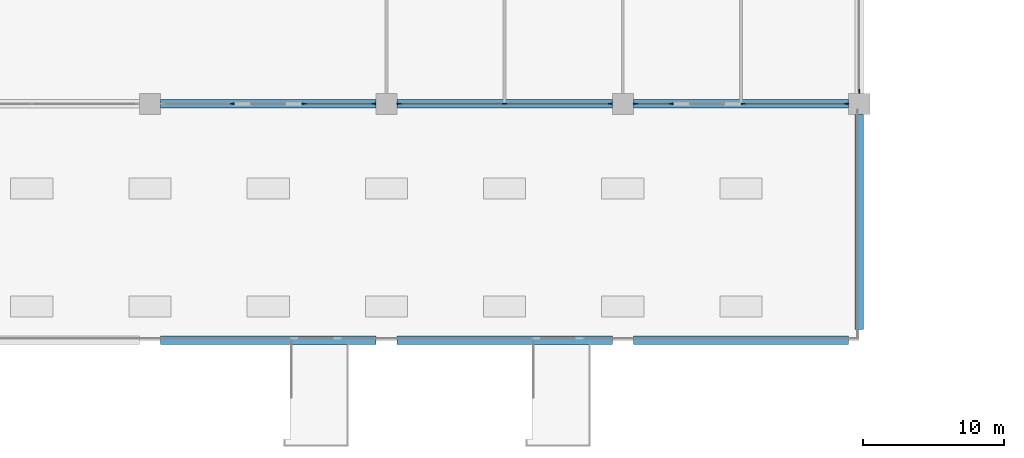
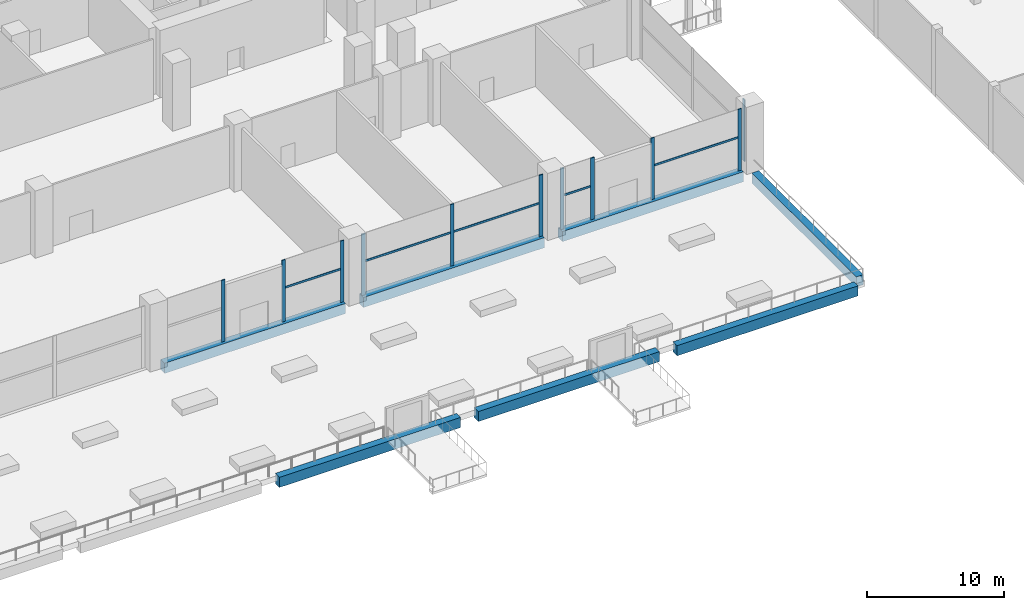
# One storey, part 7 of 47: 16 members, 7 beams, 6 elements without a shape of their own.
"""IFC4 building model written with IfcOpenShell, lengths in metres."""

from ifc_helpers import new_model, si_unit, direction, frame, origin, origin_2d, place, context, subcontext, project, spatial, rectangle, extrude, material, material_profile, profile_set, type_object, element, aggregate, save


model = new_model("IFC4")

# Units and contexts
model_context = context("Model", 3, precision=1e-05, world=origin(), true_north=direction((0.0, 1.0)))
body_context = subcontext(model_context, "Body", "Model", "MODEL_VIEW")
ifc_project = project(units=[si_unit("LENGTHUNIT", "METRE"), si_unit("AREAUNIT", "SQUARE_METRE"), si_unit("VOLUMEUNIT", "CUBIC_METRE"), si_unit("PLANEANGLEUNIT", "RADIAN"), si_unit("MASSUNIT", "GRAM", prefix="KILO")], contexts=[model_context])

# Site, building, storey
site_placement = place(None, origin())
site = spatial("IfcSite", under=ifc_project, at=site_placement, CompositionType="ELEMENT")
building_placement = place(site_placement, origin())
building = spatial("IfcBuilding", under=site, at=building_placement, Name="Candeia Pilgrim Tower and Theatre", CompositionType="ELEMENT")
storey_placement = place(building_placement, frame((0.0, 0.0, 23.0)))
storey = spatial("IfcBuildingStorey", under=building, at=storey_placement, Name="L03", CompositionType="ELEMENT", Elevation=23.0)

# Curtain wall, member
ifc_material_1 = material(Name="Aluminium framed podium glazing", Category="aluminium")
curtain_wall_type = type_object("IfcCurtainWallType", Name="CW-P curtain wall", PredefinedType="NOTDEFINED", material=ifc_material_1)
curtain_wall_1_placement = place(storey_placement, origin())
curtain_wall_1 = element("IfcCurtainWall", 1, at=curtain_wall_1_placement, inside=storey, type_object=curtain_wall_type, Name="Curtain wall CW-P L03.250", PredefinedType="NOTDEFINED")
ifc_material_2 = material(Name="Anodised aluminium", Category="aluminium")
ifc_material_profile_1 = material_profile(ifc_material_2, rectangle(XDim=0.080078125, YDim=0.300048828125, at=origin_2d()))
ifc_profile_set_1 = profile_set([ifc_material_profile_1], Name="Anodised aluminium")
member_type_1 = type_object("IfcMemberType", Name="CW-P mullion 80x300", PredefinedType="MULLION", material=ifc_profile_set_1)
member_1_placement = place(storey_placement, frame((159.60009765625, 82.10009765625, 0.0), z_axis=(0.0, 0.0, 1.0), x_axis=(1.0, 0.0, 0.0)))
member_1 = element("IfcMember", 2, at=member_1_placement, type_object=member_type_1, Name="CW-P mullion 3", PredefinedType="MULLION", context=body_context, shape_type="SweptSolid", body=[
    extrude(rectangle(XDim=0.080078125, YDim=0.300048828125, at=origin_2d()), origin(), (0.0, 0.0, 1.0), 5.5),
])
aggregate(curtain_wall_1, [member_1])

# Curtain wall, members
curtain_wall_2_placement = place(storey_placement, origin())
curtain_wall_2 = element("IfcCurtainWall", 3, at=curtain_wall_2_placement, inside=storey, type_object=curtain_wall_type, Name="Curtain wall CW-P L03.300", PredefinedType="NOTDEFINED")
member_2_placement = place(storey_placement, frame((158.699951171875, 81.199951171875, 0.0), z_axis=(0.0, 0.0, 1.0), x_axis=(0.0, -1.0, 0.0)))
member_2 = element("IfcMember", 4, at=member_2_placement, type_object=member_type_1, Name="CW-P mullion 1", PredefinedType="MULLION", context=body_context, shape_type="SweptSolid", body=[
    extrude(rectangle(XDim=0.080078125, YDim=0.300048828125, at=origin_2d()), origin(), (0.0, 0.0, 1.0), 5.5),
])
member_3_placement = place(storey_placement, frame((151.35009765625, 81.199951171875, 0.0), z_axis=(0.0, 0.0, 1.0), x_axis=(0.0, -1.0, 0.0)))
member_3 = element("IfcMember", 5, at=member_3_placement, type_object=member_type_1, Name="CW-P mullion 2", PredefinedType="MULLION", context=body_context, shape_type="SweptSolid", body=[
    extrude(rectangle(XDim=0.080078125, YDim=0.300048828125, at=origin_2d()), origin(), (0.0, 0.0, 1.0), 5.5),
])

curtain_wall_3_placement = place(storey_placement, origin())
curtain_wall_3 = element("IfcCurtainWall", 6, at=curtain_wall_3_placement, inside=storey, type_object=curtain_wall_type, Name="Curtain wall CW-P L03.301", PredefinedType="NOTDEFINED")
member_4_placement = place(storey_placement, frame((146.25, 81.199951171875, 0.0), z_axis=(0.0, 0.0, 1.0), x_axis=(0.0, -1.0, 0.0)))
member_4 = element("IfcMember", 7, at=member_4_placement, type_object=member_type_1, Name="CW-P mullion 1", PredefinedType="MULLION", context=body_context, shape_type="SweptSolid", body=[
    extrude(rectangle(XDim=0.080078125, YDim=0.300048828125, at=origin_2d()), origin(), (0.0, 0.0, 1.0), 5.5),
])
member_5_placement = place(storey_placement, frame((143.699951171875, 81.199951171875, 0.0), z_axis=(0.0, 0.0, 1.0), x_axis=(0.0, -1.0, 0.0)))
member_5 = element("IfcMember", 8, at=member_5_placement, type_object=member_type_1, Name="CW-P mullion 2", PredefinedType="MULLION", context=body_context, shape_type="SweptSolid", body=[
    extrude(rectangle(XDim=0.080078125, YDim=0.300048828125, at=origin_2d()), origin(), (0.0, 0.0, 1.0), 5.5),
])

curtain_wall_4_placement = place(storey_placement, origin())
curtain_wall_4 = element("IfcCurtainWall", 9, at=curtain_wall_4_placement, inside=storey, type_object=curtain_wall_type, Name="Curtain wall CW-P L03.310", PredefinedType="NOTDEFINED")
member_6_placement = place(storey_placement, frame((141.89990234375, 81.199951171875, 0.0), z_axis=(0.0, 0.0, 1.0), x_axis=(0.0, -1.0, 0.0)))
member_6 = element("IfcMember", 10, at=member_6_placement, type_object=member_type_1, Name="CW-P mullion 1", PredefinedType="MULLION", context=body_context, shape_type="SweptSolid", body=[
    extrude(rectangle(XDim=0.080078125, YDim=0.300048828125, at=origin_2d()), origin(), (0.0, 0.0, 1.0), 5.5),
])
member_7_placement = place(storey_placement, frame((134.39990234375, 81.199951171875, 0.0), z_axis=(0.0, 0.0, 1.0), x_axis=(0.0, -1.0, 0.0)))
member_7 = element("IfcMember", 11, at=member_7_placement, type_object=member_type_1, Name="CW-P mullion 2", PredefinedType="MULLION", context=body_context, shape_type="SweptSolid", body=[
    extrude(rectangle(XDim=0.080078125, YDim=0.300048828125, at=origin_2d()), origin(), (0.0, 0.0, 1.0), 5.5),
])
member_8_placement = place(storey_placement, frame((126.89990234375, 81.199951171875, 0.0), z_axis=(0.0, 0.0, 1.0), x_axis=(0.0, -1.0, 0.0)))
member_8 = element("IfcMember", 12, at=member_8_placement, type_object=member_type_1, Name="CW-P mullion 3", PredefinedType="MULLION", context=body_context, shape_type="SweptSolid", body=[
    extrude(rectangle(XDim=0.080078125, YDim=0.300048828125, at=origin_2d()), origin(), (0.0, 0.0, 1.0), 5.5),
])

curtain_wall_5_placement = place(storey_placement, origin())
curtain_wall_5 = element("IfcCurtainWall", 13, at=curtain_wall_5_placement, inside=storey, type_object=curtain_wall_type, Name="Curtain wall CW-P L03.320", PredefinedType="NOTDEFINED")
member_9_placement = place(storey_placement, frame((125.10009765625, 81.199951171875, 0.0), z_axis=(0.0, 0.0, 1.0), x_axis=(0.0, -1.0, 0.0)))
member_9 = element("IfcMember", 14, at=member_9_placement, type_object=member_type_1, Name="CW-P mullion 1", PredefinedType="MULLION", context=body_context, shape_type="SweptSolid", body=[
    extrude(rectangle(XDim=0.080078125, YDim=0.300048828125, at=origin_2d()), origin(), (0.0, 0.0, 1.0), 5.5),
])
member_10_placement = place(storey_placement, frame((120.14990234375, 81.199951171875, 0.0), z_axis=(0.0, 0.0, 1.0), x_axis=(0.0, -1.0, 0.0)))
member_10 = element("IfcMember", 15, at=member_10_placement, type_object=member_type_1, Name="CW-P mullion 2", PredefinedType="MULLION", context=body_context, shape_type="SweptSolid", body=[
    extrude(rectangle(XDim=0.080078125, YDim=0.300048828125, at=origin_2d()), origin(), (0.0, 0.0, 1.0), 5.5),
])

# Curtain wall, member
curtain_wall_6_placement = place(storey_placement, origin())
curtain_wall_6 = element("IfcCurtainWall", 16, at=curtain_wall_6_placement, inside=storey, type_object=curtain_wall_type, Name="Curtain wall CW-P L03.321", PredefinedType="NOTDEFINED")
member_11_placement = place(storey_placement, frame((115.050048828125, 81.199951171875, 0.0), z_axis=(0.0, 0.0, 1.0), x_axis=(0.0, -1.0, 0.0)))
member_11 = element("IfcMember", 17, at=member_11_placement, type_object=member_type_1, Name="CW-P mullion 1", PredefinedType="MULLION", context=body_context, shape_type="SweptSolid", body=[
    extrude(rectangle(XDim=0.080078125, YDim=0.300048828125, at=origin_2d()), origin(), (0.0, 0.0, 1.0), 5.5),
])
aggregate(curtain_wall_6, [member_11])

# Member
ifc_material_profile_2 = material_profile(ifc_material_2, rectangle(XDim=0.080078125, YDim=0.179931640625, at=origin_2d()))
ifc_profile_set_2 = profile_set([ifc_material_profile_2], Name="Anodised aluminium")
member_type_2 = type_object("IfcMemberType", Name="CW-P transom 80x180", PredefinedType="USERDEFINED", material=ifc_profile_set_2)
member_12_placement = place(storey_placement, frame((158.659912109375, 81.199951171875, 3.0), z_axis=(-1.0, 0.0, 0.0), x_axis=(0.0, -1.0, 0.0)))
member_12 = element("IfcMember", 18, at=member_12_placement, type_object=member_type_2, Name="CW-P transom 1.1", ObjectType="TRANSOM", PredefinedType="USERDEFINED", context=body_context, shape_type="SweptSolid", body=[
    extrude(rectangle(XDim=0.080078125, YDim=0.179931640625, at=origin_2d()), origin(), (0.0, 0.0, 1.0), 7.27001953125),
])

aggregate(curtain_wall_2, [member_2, member_3, member_12])

member_13_placement = place(storey_placement, frame((146.2099609375, 81.199951171875, 3.0), z_axis=(-1.0, 0.0, 0.0), x_axis=(0.0, -1.0, 0.0)))
member_13 = element("IfcMember", 19, at=member_13_placement, type_object=member_type_2, Name="CW-P transom 1.1", ObjectType="TRANSOM", PredefinedType="USERDEFINED", context=body_context, shape_type="SweptSolid", body=[
    extrude(rectangle(XDim=0.080078125, YDim=0.179931640625, at=origin_2d()), origin(), (0.0, 0.0, 1.0), 2.469970703125),
])

aggregate(curtain_wall_3, [member_4, member_5, member_13])

member_14_placement = place(storey_placement, frame((141.860107421875, 81.199951171875, 3.0), z_axis=(-1.0, 0.0, 0.0), x_axis=(0.0, -1.0, 0.0)))
member_14 = element("IfcMember", 20, at=member_14_placement, type_object=member_type_2, Name="CW-P transom 1.1", ObjectType="TRANSOM", PredefinedType="USERDEFINED", context=body_context, shape_type="SweptSolid", body=[
    extrude(rectangle(XDim=0.080078125, YDim=0.179931640625, at=origin_2d()), origin(), (0.0, 0.0, 1.0), 7.420166015625),
])

member_15_placement = place(storey_placement, frame((134.360107421875, 81.199951171875, 3.0), z_axis=(-1.0, 0.0, 0.0), x_axis=(0.0, -1.0, 0.0)))
member_15 = element("IfcMember", 21, at=member_15_placement, type_object=member_type_2, Name="CW-P transom 2.1", ObjectType="TRANSOM", PredefinedType="USERDEFINED", context=body_context, shape_type="SweptSolid", body=[
    extrude(rectangle(XDim=0.080078125, YDim=0.179931640625, at=origin_2d()), origin(), (0.0, 0.0, 1.0), 7.420166015625),
])

aggregate(curtain_wall_4, [member_6, member_7, member_8, member_14, member_15])

member_16_placement = place(storey_placement, frame((125.06005859375, 81.199951171875, 3.0), z_axis=(-1.0, 0.0, 0.0), x_axis=(0.0, -1.0, 0.0)))
member_16 = element("IfcMember", 22, at=member_16_placement, type_object=member_type_2, Name="CW-P transom 1.1", ObjectType="TRANSOM", PredefinedType="USERDEFINED", context=body_context, shape_type="SweptSolid", body=[
    extrude(rectangle(XDim=0.080078125, YDim=0.179931640625, at=origin_2d()), origin(), (0.0, 0.0, 1.0), 4.8701171875),
])

aggregate(curtain_wall_5, [member_9, member_10, member_16])

# Beams
ifc_material_3 = material(Name="Concrete C80/95", Category="concrete")
ifc_material_profile_3 = material_profile(ifc_material_3, rectangle(XDim=0.60009765625, YDim=0.89990234375, at=origin_2d()))
ifc_profile_set_3 = profile_set([ifc_material_profile_3], Name="Concrete C80/95")
beam_type = type_object("IfcBeamType", Name="RC 600x900 C80/95", PredefinedType="BEAM", material=ifc_profile_set_3)
for number, where, z_axis, x_axis, name in (
    (23, (109.949951171875, 81.199951171875, -0.449951171875), (1.0, 0.0, 0.0), (0.0, 1.0, 0.0), "Spandrel beam L03-24"),
    (24, (126.75, 81.199951171875, -0.449951171875), (1.0, 0.0, 0.0), (0.0, 1.0, 0.0), "Spandrel beam L03-25"),
    (25, (143.550048828125, 81.199951171875, -0.449951171875), (1.0, 0.0, 0.0), (0.0, 1.0, 0.0), "Spandrel beam L03-26"),
    (26, (158.85009765625, 64.39990234375, -0.449951171875), (-1.0, 0.0, 0.0), (0.0, -1.0, 0.0), "Spandrel beam L03-27"),
    (27, (142.050048828125, 64.39990234375, -0.449951171875), (-1.0, 0.0, 0.0), (0.0, -1.0, 0.0), "Spandrel beam L03-28"),
    (28, (125.25, 64.39990234375, -0.449951171875), (-1.0, 0.0, 0.0), (0.0, -1.0, 0.0), "Spandrel beam L03-29"),
    (29, (159.60009765625, 80.449951171875, -0.449951171875), (0.0, -1.0, 0.0), (1.0, 0.0, 0.0), "Spandrel beam L03-34"),
):
    element("IfcBeam", number, at=place(storey_placement, frame(where, z_axis=z_axis, x_axis=x_axis)), inside=storey, type_object=beam_type, Name=name, PredefinedType="BEAM", context=body_context, shape_type="SweptSolid", body=[
        extrude(rectangle(XDim=0.60009765625, YDim=0.89990234375, at=origin_2d()), origin(), (0.0, 0.0, 1.0), 15.300048828125),
    ])

save(model, "model.ifc")
